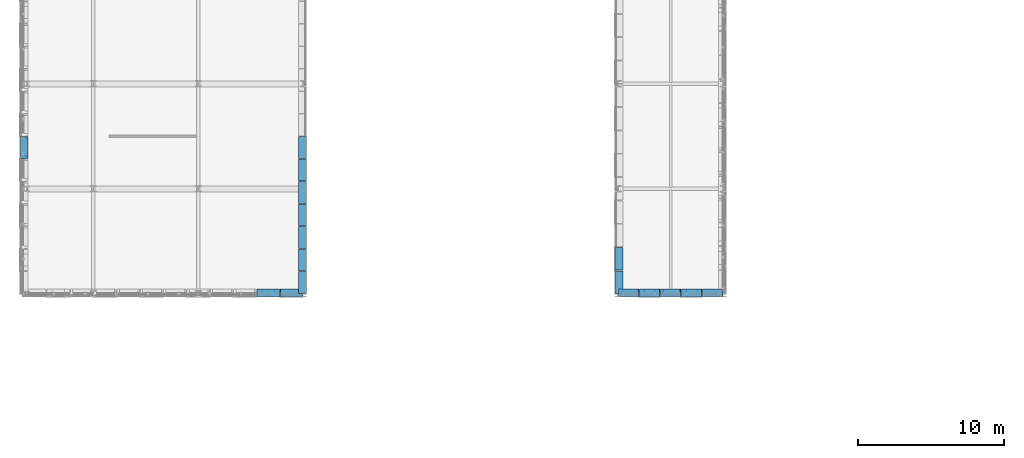
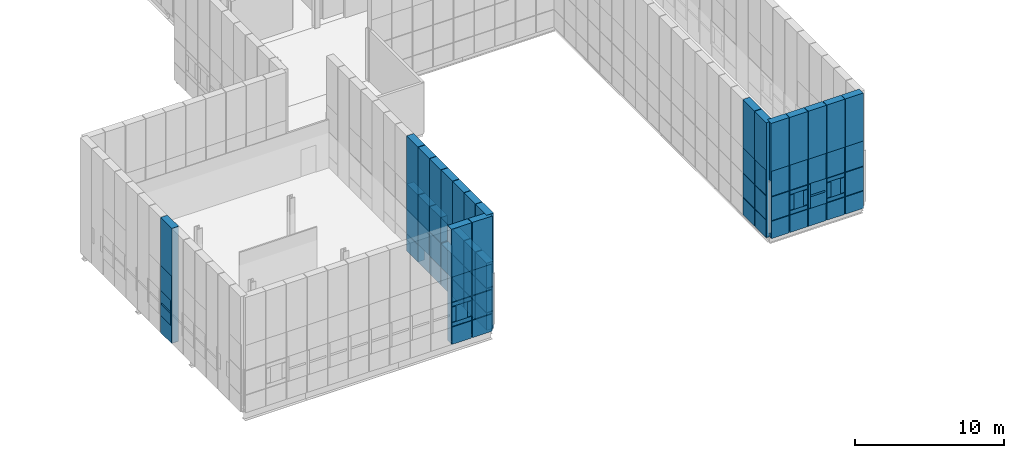
# One storey, part 108 of 144: 79 discrete accessories.
"""IFC4 building model written with IfcOpenShell, lengths in metres."""

from ifc_helpers import new_model, si_unit, direction, frame, origin, origin_2d, place, context, subcontext, project, spatial, rectangle, extrude, material, type_object, element, save


model = new_model("IFC4")

# Units and contexts
model_context = context("Model", 3, precision=1e-05, world=origin(), true_north=direction((0.0, 1.0)))
body_context = subcontext(model_context, "Body", "Model", "MODEL_VIEW")
ifc_project = project(units=[si_unit("LENGTHUNIT", "METRE"), si_unit("AREAUNIT", "SQUARE_METRE"), si_unit("VOLUMEUNIT", "CUBIC_METRE"), si_unit("PLANEANGLEUNIT", "RADIAN"), si_unit("MASSUNIT", "GRAM", prefix="KILO")], contexts=[model_context])

# Site, building, storey
site_placement = place(None, origin())
site = spatial("IfcSite", under=ifc_project, at=site_placement, CompositionType="ELEMENT")
building_placement = place(site_placement, origin())
building = spatial("IfcBuilding", under=site, at=building_placement, Name="Yarey Park Central Fire Station", CompositionType="ELEMENT")
storey_placement = place(building_placement, frame((0.0, 0.0, 10.199951171875)))
storey = spatial("IfcBuildingStorey", under=building, at=storey_placement, Name="L03", CompositionType="ELEMENT", Elevation=10.199951171875)

# Discrete accessories
ifc_material = material(Name="Stainless Steel AISI 316L", Category="steel")
discrete_accessory_type = type_object("IfcDiscreteAccessoryType", Name="ENV_BRK_SS1", PredefinedType="BRACKET", material=ifc_material)
discrete_accessory_1_placement = place(storey_placement, frame((9.64990234375, 31.628662109375, -0.494873046875), z_axis=(0.0, 0.0, 1.0), x_axis=(1.0, 0.0, 0.0)))
element("IfcDiscreteAccessory", 1, at=discrete_accessory_1_placement, inside=storey, type_object=discrete_accessory_type, Name="BRK_PERF_L03_0045", PredefinedType="BRACKET", context=body_context, shape_type="SweptSolid", body=[
    extrude(rectangle(XDim=0.5400390625, YDim=1.48291015625, at=origin_2d()), origin(), (0.0, 0.0, 1.0), 1.419921875),
])
discrete_accessory_2_placement = place(storey_placement, frame((9.64990234375, 30.96728515625, 0.97509765625), z_axis=(0.0, 0.0, 1.0), x_axis=(1.0, 0.0, 0.0)))
element("IfcDiscreteAccessory", 2, at=discrete_accessory_2_placement, inside=storey, type_object=discrete_accessory_type, Name="BRK_PERF_L03_0046", PredefinedType="BRACKET", context=body_context, shape_type="SweptSolid", body=[
    extrude(rectangle(XDim=0.5400390625, YDim=0.159912109375, at=origin_2d()), origin(), (0.0, 0.0, 1.0), 1.949951171875),
])
discrete_accessory_3_placement = place(storey_placement, frame((9.64990234375, 31.628662109375, 1.8701171875), z_axis=(0.0, 0.0, 1.0), x_axis=(1.0, 0.0, 0.0)))
element("IfcDiscreteAccessory", 3, at=discrete_accessory_3_placement, inside=storey, type_object=discrete_accessory_type, Name="BRK_PERF_L03_0047", PredefinedType="BRACKET", context=body_context, shape_type="SweptSolid", body=[
    extrude(rectangle(XDim=0.5400390625, YDim=1.282958984375, at=origin_2d()), origin(), (0.0, 0.0, 1.0), 0.159912109375),
])
discrete_accessory_4_placement = place(storey_placement, frame((9.64990234375, 31.628662109375, 2.97509765625), z_axis=(0.0, 0.0, 1.0), x_axis=(1.0, 0.0, 0.0)))
element("IfcDiscreteAccessory", 4, at=discrete_accessory_4_placement, inside=storey, type_object=discrete_accessory_type, Name="BRK_PERF_L03_0048", PredefinedType="BRACKET", context=body_context, shape_type="SweptSolid", body=[
    extrude(rectangle(XDim=0.5400390625, YDim=1.48291015625, at=origin_2d()), origin(), (0.0, 0.0, 1.0), 2.050048828125),
])
discrete_accessory_5_placement = place(storey_placement, frame((9.64990234375, 31.628662109375, -0.4599609375), z_axis=(0.0, 0.0, 1.0), x_axis=(1.0, 0.0, 0.0)))
element("IfcDiscreteAccessory", 5, at=discrete_accessory_5_placement, inside=storey, type_object=discrete_accessory_type, Name="BRK_RAIL_L03_0051", PredefinedType="BRACKET", context=body_context, shape_type="SweptSolid", body=[
    extrude(rectangle(XDim=0.5400390625, YDim=1.5029296875, at=origin_2d()), origin(), (0.0, 0.0, 1.0), 9.419921875),
])
discrete_accessory_6_placement = place(storey_placement, frame((26.39990234375, 21.64990234375, -0.494873046875), z_axis=(0.0, 0.0, 1.0), x_axis=(1.0, 0.0, 0.0)))
element("IfcDiscreteAccessory", 6, at=discrete_accessory_6_placement, inside=storey, type_object=discrete_accessory_type, Name="BRK_PERF_L03_0175", PredefinedType="BRACKET", context=body_context, shape_type="SweptSolid", body=[
    extrude(rectangle(XDim=1.5400390625, YDim=0.5400390625, at=origin_2d()), origin(), (0.0, 0.0, 1.0), 1.419921875),
])
for number, where, z_axis, x_axis, name in (
    (7, (26.39990234375, 21.64990234375, 0.97021484375), (0.0, 0.0, 1.0), (1.0, 0.0, 0.0), "BRK_PERF_L03_0176"),
    (8, (26.39990234375, 21.64990234375, 2.60986328125), (0.0, 0.0, 1.0), (1.0, 0.0, 0.0), "BRK_PERF_L03_0177"),
):
    element("IfcDiscreteAccessory", number, at=place(storey_placement, frame(where, z_axis=z_axis, x_axis=x_axis)), inside=storey, type_object=discrete_accessory_type, Name=name, PredefinedType="BRACKET", context=body_context, shape_type="SweptSolid", body=[
        extrude(rectangle(XDim=1.5400390625, YDim=0.5400390625, at=origin_2d()), origin(), (0.0, 0.0, 1.0), 0.320068359375),
    ])
for number, where, z_axis, x_axis, name in (
    (9, (25.800048828125, 21.64990234375, 1.3349609375), (0.0, 0.0, 1.0), (1.0, 0.0, 0.0), "BRK_PERF_L03_0178"),
    (10, (27.0, 21.64990234375, 1.3349609375), (0.0, 0.0, 1.0), (1.0, 0.0, 0.0), "BRK_PERF_L03_0179"),
):
    element("IfcDiscreteAccessory", number, at=place(storey_placement, frame(where, z_axis=z_axis, x_axis=x_axis)), inside=storey, type_object=discrete_accessory_type, Name=name, PredefinedType="BRACKET", context=body_context, shape_type="SweptSolid", body=[
        extrude(rectangle(XDim=0.320068359375, YDim=0.5400390625, at=origin_2d()), origin(), (0.0, 0.0, 1.0), 1.22998046875),
    ])
discrete_accessory_7_placement = place(storey_placement, frame((26.39990234375, 21.64990234375, 2.97509765625), z_axis=(0.0, 0.0, 1.0), x_axis=(1.0, 0.0, 0.0)))
element("IfcDiscreteAccessory", 11, at=discrete_accessory_7_placement, inside=storey, type_object=discrete_accessory_type, Name="BRK_PERF_L03_0180", PredefinedType="BRACKET", context=body_context, shape_type="SweptSolid", body=[
    extrude(rectangle(XDim=1.5400390625, YDim=0.5400390625, at=origin_2d()), origin(), (0.0, 0.0, 1.0), 2.050048828125),
])
discrete_accessory_8_placement = place(storey_placement, frame((26.39990234375, 21.64990234375, -0.4599609375), z_axis=(0.0, 0.0, 1.0), x_axis=(1.0, 0.0, 0.0)))
element("IfcDiscreteAccessory", 12, at=discrete_accessory_8_placement, inside=storey, type_object=discrete_accessory_type, Name="BRK_RAIL_L03_0185", PredefinedType="BRACKET", context=body_context, shape_type="SweptSolid", body=[
    extrude(rectangle(XDim=1.56005859375, YDim=0.5400390625, at=origin_2d()), origin(), (0.0, 0.0, 1.0), 9.419921875),
])
discrete_accessory_9_placement = place(storey_placement, frame((28.0, 21.64990234375, -0.494873046875), z_axis=(0.0, 0.0, 1.0), x_axis=(1.0, 0.0, 0.0)))
element("IfcDiscreteAccessory", 13, at=discrete_accessory_9_placement, inside=storey, type_object=discrete_accessory_type, Name="BRK_PERF_L03_0186", PredefinedType="BRACKET", context=body_context, shape_type="SweptSolid", body=[
    extrude(rectangle(XDim=1.5400390625, YDim=0.5400390625, at=origin_2d()), origin(), (0.0, 0.0, 1.0), 1.419921875),
])
discrete_accessory_10_placement = place(storey_placement, frame((28.0, 21.64990234375, 0.97509765625), z_axis=(0.0, 0.0, 1.0), x_axis=(1.0, 0.0, 0.0)))
element("IfcDiscreteAccessory", 14, at=discrete_accessory_10_placement, inside=storey, type_object=discrete_accessory_type, Name="BRK_PERF_L03_0187", PredefinedType="BRACKET", context=body_context, shape_type="SweptSolid", body=[
    extrude(rectangle(XDim=1.5400390625, YDim=0.5400390625, at=origin_2d()), origin(), (0.0, 0.0, 1.0), 1.949951171875),
])
discrete_accessory_11_placement = place(storey_placement, frame((28.0, 21.64990234375, 2.97509765625), z_axis=(0.0, 0.0, 1.0), x_axis=(1.0, 0.0, 0.0)))
element("IfcDiscreteAccessory", 15, at=discrete_accessory_11_placement, inside=storey, type_object=discrete_accessory_type, Name="BRK_PERF_L03_0188", PredefinedType="BRACKET", context=body_context, shape_type="SweptSolid", body=[
    extrude(rectangle(XDim=1.5400390625, YDim=0.5400390625, at=origin_2d()), origin(), (0.0, 0.0, 1.0), 2.050048828125),
])
discrete_accessory_12_placement = place(storey_placement, frame((28.0, 21.64990234375, -0.4599609375), z_axis=(0.0, 0.0, 1.0), x_axis=(1.0, 0.0, 0.0)))
element("IfcDiscreteAccessory", 16, at=discrete_accessory_12_placement, inside=storey, type_object=discrete_accessory_type, Name="BRK_RAIL_L03_0190", PredefinedType="BRACKET", context=body_context, shape_type="SweptSolid", body=[
    extrude(rectangle(XDim=1.56005859375, YDim=0.5400390625, at=origin_2d()), origin(), (0.0, 0.0, 1.0), 9.419921875),
])
discrete_accessory_13_placement = place(storey_placement, frame((51.1201171875, 21.64990234375, -0.494873046875), z_axis=(0.0, 0.0, 1.0), x_axis=(1.0, 0.0, 0.0)))
element("IfcDiscreteAccessory", 17, at=discrete_accessory_13_placement, inside=storey, type_object=discrete_accessory_type, Name="BRK_PERF_L03_0265", PredefinedType="BRACKET", context=body_context, shape_type="SweptSolid", body=[
    extrude(rectangle(XDim=1.3798828125, YDim=0.5400390625, at=origin_2d()), origin(), (0.0, 0.0, 1.0), 1.419921875),
])
discrete_accessory_14_placement = place(storey_placement, frame((51.1201171875, 21.64990234375, 0.97509765625), z_axis=(0.0, 0.0, 1.0), x_axis=(1.0, 0.0, 0.0)))
element("IfcDiscreteAccessory", 18, at=discrete_accessory_14_placement, inside=storey, type_object=discrete_accessory_type, Name="BRK_PERF_L03_0266", PredefinedType="BRACKET", context=body_context, shape_type="SweptSolid", body=[
    extrude(rectangle(XDim=1.3798828125, YDim=0.5400390625, at=origin_2d()), origin(), (0.0, 0.0, 1.0), 1.949951171875),
])
discrete_accessory_15_placement = place(storey_placement, frame((51.1201171875, 21.64990234375, 2.97509765625), z_axis=(0.0, 0.0, 1.0), x_axis=(1.0, 0.0, 0.0)))
element("IfcDiscreteAccessory", 19, at=discrete_accessory_15_placement, inside=storey, type_object=discrete_accessory_type, Name="BRK_PERF_L03_0267", PredefinedType="BRACKET", context=body_context, shape_type="SweptSolid", body=[
    extrude(rectangle(XDim=1.3798828125, YDim=0.5400390625, at=origin_2d()), origin(), (0.0, 0.0, 1.0), 2.050048828125),
])
discrete_accessory_16_placement = place(storey_placement, frame((51.1201171875, 21.64990234375, -0.4599609375), z_axis=(0.0, 0.0, 1.0), x_axis=(1.0, 0.0, 0.0)))
element("IfcDiscreteAccessory", 20, at=discrete_accessory_16_placement, inside=storey, type_object=discrete_accessory_type, Name="BRK_RAIL_L03_0269", PredefinedType="BRACKET", context=body_context, shape_type="SweptSolid", body=[
    extrude(rectangle(XDim=1.39990234375, YDim=0.5400390625, at=origin_2d()), origin(), (0.0, 0.0, 1.0), 9.419921875),
])
discrete_accessory_17_placement = place(storey_placement, frame((52.56005859375, 21.64990234375, -0.494873046875), z_axis=(0.0, 0.0, 1.0), x_axis=(1.0, 0.0, 0.0)))
element("IfcDiscreteAccessory", 21, at=discrete_accessory_17_placement, inside=storey, type_object=discrete_accessory_type, Name="BRK_PERF_L03_0270", PredefinedType="BRACKET", context=body_context, shape_type="SweptSolid", body=[
    extrude(rectangle(XDim=1.3798828125, YDim=0.5400390625, at=origin_2d()), origin(), (0.0, 0.0, 1.0), 1.419921875),
])
for number, where, z_axis, x_axis, name in (
    (22, (52.56005859375, 21.64990234375, 0.97021484375), (0.0, 0.0, 1.0), (1.0, 0.0, 0.0), "BRK_PERF_L03_0271"),
    (23, (52.56005859375, 21.64990234375, 2.60986328125), (0.0, 0.0, 1.0), (1.0, 0.0, 0.0), "BRK_PERF_L03_0272"),
):
    element("IfcDiscreteAccessory", number, at=place(storey_placement, frame(where, z_axis=z_axis, x_axis=x_axis)), inside=storey, type_object=discrete_accessory_type, Name=name, PredefinedType="BRACKET", context=body_context, shape_type="SweptSolid", body=[
        extrude(rectangle(XDim=1.3798828125, YDim=0.5400390625, at=origin_2d()), origin(), (0.0, 0.0, 1.0), 0.320068359375),
    ])
for number, where, z_axis, x_axis, name in (
    (24, (52.0400390625, 21.64990234375, 1.3349609375), (0.0, 0.0, 1.0), (1.0, 0.0, 0.0), "BRK_PERF_L03_0273"),
    (25, (53.080078125, 21.64990234375, 1.3349609375), (0.0, 0.0, 1.0), (1.0, 0.0, 0.0), "BRK_PERF_L03_0274"),
):
    element("IfcDiscreteAccessory", number, at=place(storey_placement, frame(where, z_axis=z_axis, x_axis=x_axis)), inside=storey, type_object=discrete_accessory_type, Name=name, PredefinedType="BRACKET", context=body_context, shape_type="SweptSolid", body=[
        extrude(rectangle(XDim=0.320068359375, YDim=0.5400390625, at=origin_2d()), origin(), (0.0, 0.0, 1.0), 1.22998046875),
    ])
discrete_accessory_18_placement = place(storey_placement, frame((52.56005859375, 21.64990234375, 2.97509765625), z_axis=(0.0, 0.0, 1.0), x_axis=(1.0, 0.0, 0.0)))
element("IfcDiscreteAccessory", 26, at=discrete_accessory_18_placement, inside=storey, type_object=discrete_accessory_type, Name="BRK_PERF_L03_0275", PredefinedType="BRACKET", context=body_context, shape_type="SweptSolid", body=[
    extrude(rectangle(XDim=1.3798828125, YDim=0.5400390625, at=origin_2d()), origin(), (0.0, 0.0, 1.0), 2.050048828125),
])
discrete_accessory_19_placement = place(storey_placement, frame((52.56005859375, 21.64990234375, -0.4599609375), z_axis=(0.0, 0.0, 1.0), x_axis=(1.0, 0.0, 0.0)))
element("IfcDiscreteAccessory", 27, at=discrete_accessory_19_placement, inside=storey, type_object=discrete_accessory_type, Name="BRK_RAIL_L03_0280", PredefinedType="BRACKET", context=body_context, shape_type="SweptSolid", body=[
    extrude(rectangle(XDim=1.39990234375, YDim=0.5400390625, at=origin_2d()), origin(), (0.0, 0.0, 1.0), 9.419921875),
])
discrete_accessory_20_placement = place(storey_placement, frame((54.0, 21.64990234375, -0.494873046875), z_axis=(0.0, 0.0, 1.0), x_axis=(1.0, 0.0, 0.0)))
element("IfcDiscreteAccessory", 28, at=discrete_accessory_20_placement, inside=storey, type_object=discrete_accessory_type, Name="BRK_PERF_L03_0281", PredefinedType="BRACKET", context=body_context, shape_type="SweptSolid", body=[
    extrude(rectangle(XDim=1.3798828125, YDim=0.5400390625, at=origin_2d()), origin(), (0.0, 0.0, 1.0), 1.419921875),
])
discrete_accessory_21_placement = place(storey_placement, frame((53.389892578125, 21.64990234375, 0.97509765625), z_axis=(0.0, 0.0, 1.0), x_axis=(1.0, 0.0, 0.0)))
element("IfcDiscreteAccessory", 29, at=discrete_accessory_21_placement, inside=storey, type_object=discrete_accessory_type, Name="BRK_PERF_L03_0282", PredefinedType="BRACKET", context=body_context, shape_type="SweptSolid", body=[
    extrude(rectangle(XDim=0.159912109375, YDim=0.5400390625, at=origin_2d()), origin(), (0.0, 0.0, 1.0), 1.949951171875),
])
discrete_accessory_22_placement = place(storey_placement, frame((54.0, 21.64990234375, 1.8701171875), z_axis=(0.0, 0.0, 1.0), x_axis=(1.0, 0.0, 0.0)))
element("IfcDiscreteAccessory", 30, at=discrete_accessory_22_placement, inside=storey, type_object=discrete_accessory_type, Name="BRK_PERF_L03_0283", PredefinedType="BRACKET", context=body_context, shape_type="SweptSolid", body=[
    extrude(rectangle(XDim=1.179931640625, YDim=0.5400390625, at=origin_2d()), origin(), (0.0, 0.0, 1.0), 0.159912109375),
])
discrete_accessory_23_placement = place(storey_placement, frame((54.0, 21.64990234375, 2.97509765625), z_axis=(0.0, 0.0, 1.0), x_axis=(1.0, 0.0, 0.0)))
element("IfcDiscreteAccessory", 31, at=discrete_accessory_23_placement, inside=storey, type_object=discrete_accessory_type, Name="BRK_PERF_L03_0284", PredefinedType="BRACKET", context=body_context, shape_type="SweptSolid", body=[
    extrude(rectangle(XDim=1.3798828125, YDim=0.5400390625, at=origin_2d()), origin(), (0.0, 0.0, 1.0), 2.050048828125),
])
discrete_accessory_24_placement = place(storey_placement, frame((54.0, 21.64990234375, -0.4599609375), z_axis=(0.0, 0.0, 1.0), x_axis=(1.0, 0.0, 0.0)))
element("IfcDiscreteAccessory", 32, at=discrete_accessory_24_placement, inside=storey, type_object=discrete_accessory_type, Name="BRK_RAIL_L03_0287", PredefinedType="BRACKET", context=body_context, shape_type="SweptSolid", body=[
    extrude(rectangle(XDim=1.39990234375, YDim=0.5400390625, at=origin_2d()), origin(), (0.0, 0.0, 1.0), 9.419921875),
])
discrete_accessory_25_placement = place(storey_placement, frame((55.43994140625, 21.64990234375, -0.494873046875), z_axis=(0.0, 0.0, 1.0), x_axis=(1.0, 0.0, 0.0)))
element("IfcDiscreteAccessory", 33, at=discrete_accessory_25_placement, inside=storey, type_object=discrete_accessory_type, Name="BRK_PERF_L03_0288", PredefinedType="BRACKET", context=body_context, shape_type="SweptSolid", body=[
    extrude(rectangle(XDim=1.3798828125, YDim=0.5400390625, at=origin_2d()), origin(), (0.0, 0.0, 1.0), 1.419921875),
])
for number, where, z_axis, x_axis, name in (
    (34, (55.43994140625, 21.64990234375, 0.97021484375), (0.0, 0.0, 1.0), (1.0, 0.0, 0.0), "BRK_PERF_L03_0289"),
    (35, (55.43994140625, 21.64990234375, 2.60986328125), (0.0, 0.0, 1.0), (1.0, 0.0, 0.0), "BRK_PERF_L03_0290"),
):
    element("IfcDiscreteAccessory", number, at=place(storey_placement, frame(where, z_axis=z_axis, x_axis=x_axis)), inside=storey, type_object=discrete_accessory_type, Name=name, PredefinedType="BRACKET", context=body_context, shape_type="SweptSolid", body=[
        extrude(rectangle(XDim=1.3798828125, YDim=0.5400390625, at=origin_2d()), origin(), (0.0, 0.0, 1.0), 0.320068359375),
    ])
for number, where, z_axis, x_axis, name in (
    (36, (54.919921875, 21.64990234375, 1.3349609375), (0.0, 0.0, 1.0), (1.0, 0.0, 0.0), "BRK_PERF_L03_0291"),
    (37, (55.9599609375, 21.64990234375, 1.3349609375), (0.0, 0.0, 1.0), (1.0, 0.0, 0.0), "BRK_PERF_L03_0292"),
):
    element("IfcDiscreteAccessory", number, at=place(storey_placement, frame(where, z_axis=z_axis, x_axis=x_axis)), inside=storey, type_object=discrete_accessory_type, Name=name, PredefinedType="BRACKET", context=body_context, shape_type="SweptSolid", body=[
        extrude(rectangle(XDim=0.320068359375, YDim=0.5400390625, at=origin_2d()), origin(), (0.0, 0.0, 1.0), 1.22998046875),
    ])
discrete_accessory_26_placement = place(storey_placement, frame((55.43994140625, 21.64990234375, 2.97509765625), z_axis=(0.0, 0.0, 1.0), x_axis=(1.0, 0.0, 0.0)))
element("IfcDiscreteAccessory", 38, at=discrete_accessory_26_placement, inside=storey, type_object=discrete_accessory_type, Name="BRK_PERF_L03_0293", PredefinedType="BRACKET", context=body_context, shape_type="SweptSolid", body=[
    extrude(rectangle(XDim=1.3798828125, YDim=0.5400390625, at=origin_2d()), origin(), (0.0, 0.0, 1.0), 2.050048828125),
])
discrete_accessory_27_placement = place(storey_placement, frame((55.43994140625, 21.64990234375, -0.4599609375), z_axis=(0.0, 0.0, 1.0), x_axis=(1.0, 0.0, 0.0)))
element("IfcDiscreteAccessory", 39, at=discrete_accessory_27_placement, inside=storey, type_object=discrete_accessory_type, Name="BRK_RAIL_L03_0298", PredefinedType="BRACKET", context=body_context, shape_type="SweptSolid", body=[
    extrude(rectangle(XDim=1.39990234375, YDim=0.5400390625, at=origin_2d()), origin(), (0.0, 0.0, 1.0), 9.419921875),
])
discrete_accessory_28_placement = place(storey_placement, frame((56.8798828125, 21.64990234375, -0.494873046875), z_axis=(0.0, 0.0, 1.0), x_axis=(1.0, 0.0, 0.0)))
element("IfcDiscreteAccessory", 40, at=discrete_accessory_28_placement, inside=storey, type_object=discrete_accessory_type, Name="BRK_PERF_L03_0299", PredefinedType="BRACKET", context=body_context, shape_type="SweptSolid", body=[
    extrude(rectangle(XDim=1.3798828125, YDim=0.5400390625, at=origin_2d()), origin(), (0.0, 0.0, 1.0), 1.419921875),
])
discrete_accessory_29_placement = place(storey_placement, frame((56.8798828125, 21.64990234375, 0.97509765625), z_axis=(0.0, 0.0, 1.0), x_axis=(1.0, 0.0, 0.0)))
element("IfcDiscreteAccessory", 41, at=discrete_accessory_29_placement, inside=storey, type_object=discrete_accessory_type, Name="BRK_PERF_L03_0300", PredefinedType="BRACKET", context=body_context, shape_type="SweptSolid", body=[
    extrude(rectangle(XDim=1.3798828125, YDim=0.5400390625, at=origin_2d()), origin(), (0.0, 0.0, 1.0), 1.949951171875),
])
discrete_accessory_30_placement = place(storey_placement, frame((56.8798828125, 21.64990234375, 2.97509765625), z_axis=(0.0, 0.0, 1.0), x_axis=(1.0, 0.0, 0.0)))
element("IfcDiscreteAccessory", 42, at=discrete_accessory_30_placement, inside=storey, type_object=discrete_accessory_type, Name="BRK_PERF_L03_0301", PredefinedType="BRACKET", context=body_context, shape_type="SweptSolid", body=[
    extrude(rectangle(XDim=1.3798828125, YDim=0.5400390625, at=origin_2d()), origin(), (0.0, 0.0, 1.0), 2.050048828125),
])
discrete_accessory_31_placement = place(storey_placement, frame((56.8798828125, 21.64990234375, -0.4599609375), z_axis=(0.0, 0.0, 1.0), x_axis=(1.0, 0.0, 0.0)))
element("IfcDiscreteAccessory", 43, at=discrete_accessory_31_placement, inside=storey, type_object=discrete_accessory_type, Name="BRK_RAIL_L03_0303", PredefinedType="BRACKET", context=body_context, shape_type="SweptSolid", body=[
    extrude(rectangle(XDim=1.39990234375, YDim=0.5400390625, at=origin_2d()), origin(), (0.0, 0.0, 1.0), 9.419921875),
])
discrete_accessory_32_placement = place(storey_placement, frame((28.75, 22.371337890625, -0.494873046875), z_axis=(0.0, 0.0, 1.0), x_axis=(1.0, 0.0, 0.0)))
element("IfcDiscreteAccessory", 44, at=discrete_accessory_32_placement, inside=storey, type_object=discrete_accessory_type, Name="BRK_PERF_L03_0917", PredefinedType="BRACKET", context=body_context, shape_type="SweptSolid", body=[
    extrude(rectangle(XDim=0.5400390625, YDim=1.48291015625, at=origin_2d()), origin(), (0.0, 0.0, 1.0), 1.419921875),
])
discrete_accessory_33_placement = place(storey_placement, frame((28.75, 22.371337890625, 0.97509765625), z_axis=(0.0, 0.0, 1.0), x_axis=(1.0, 0.0, 0.0)))
element("IfcDiscreteAccessory", 45, at=discrete_accessory_33_placement, inside=storey, type_object=discrete_accessory_type, Name="BRK_PERF_L03_0918", PredefinedType="BRACKET", context=body_context, shape_type="SweptSolid", body=[
    extrude(rectangle(XDim=0.5400390625, YDim=1.48291015625, at=origin_2d()), origin(), (0.0, 0.0, 1.0), 1.949951171875),
])
discrete_accessory_34_placement = place(storey_placement, frame((28.75, 22.371337890625, 2.97509765625), z_axis=(0.0, 0.0, 1.0), x_axis=(1.0, 0.0, 0.0)))
element("IfcDiscreteAccessory", 46, at=discrete_accessory_34_placement, inside=storey, type_object=discrete_accessory_type, Name="BRK_PERF_L03_0919", PredefinedType="BRACKET", context=body_context, shape_type="SweptSolid", body=[
    extrude(rectangle(XDim=0.5400390625, YDim=1.48291015625, at=origin_2d()), origin(), (0.0, 0.0, 1.0), 2.050048828125),
])
discrete_accessory_35_placement = place(storey_placement, frame((28.75, 22.371337890625, -0.4599609375), z_axis=(0.0, 0.0, 1.0), x_axis=(1.0, 0.0, 0.0)))
element("IfcDiscreteAccessory", 47, at=discrete_accessory_35_placement, inside=storey, type_object=discrete_accessory_type, Name="BRK_RAIL_L03_0921", PredefinedType="BRACKET", context=body_context, shape_type="SweptSolid", body=[
    extrude(rectangle(XDim=0.5400390625, YDim=1.5029296875, at=origin_2d()), origin(), (0.0, 0.0, 1.0), 9.419921875),
])
discrete_accessory_36_placement = place(storey_placement, frame((28.75, 23.914306640625, -0.494873046875), z_axis=(0.0, 0.0, 1.0), x_axis=(1.0, 0.0, 0.0)))
element("IfcDiscreteAccessory", 48, at=discrete_accessory_36_placement, inside=storey, type_object=discrete_accessory_type, Name="BRK_PERF_L03_0922", PredefinedType="BRACKET", context=body_context, shape_type="SweptSolid", body=[
    extrude(rectangle(XDim=0.5400390625, YDim=1.48291015625, at=origin_2d()), origin(), (0.0, 0.0, 1.0), 1.419921875),
])
discrete_accessory_37_placement = place(storey_placement, frame((28.75, 23.914306640625, 0.97509765625), z_axis=(0.0, 0.0, 1.0), x_axis=(1.0, 0.0, 0.0)))
element("IfcDiscreteAccessory", 49, at=discrete_accessory_37_placement, inside=storey, type_object=discrete_accessory_type, Name="BRK_PERF_L03_0923", PredefinedType="BRACKET", context=body_context, shape_type="SweptSolid", body=[
    extrude(rectangle(XDim=0.5400390625, YDim=1.48291015625, at=origin_2d()), origin(), (0.0, 0.0, 1.0), 1.949951171875),
])
discrete_accessory_38_placement = place(storey_placement, frame((28.75, 23.914306640625, 2.97509765625), z_axis=(0.0, 0.0, 1.0), x_axis=(1.0, 0.0, 0.0)))
element("IfcDiscreteAccessory", 50, at=discrete_accessory_38_placement, inside=storey, type_object=discrete_accessory_type, Name="BRK_PERF_L03_0924", PredefinedType="BRACKET", context=body_context, shape_type="SweptSolid", body=[
    extrude(rectangle(XDim=0.5400390625, YDim=1.48291015625, at=origin_2d()), origin(), (0.0, 0.0, 1.0), 2.050048828125),
])
discrete_accessory_39_placement = place(storey_placement, frame((28.75, 23.914306640625, -0.4599609375), z_axis=(0.0, 0.0, 1.0), x_axis=(1.0, 0.0, 0.0)))
element("IfcDiscreteAccessory", 51, at=discrete_accessory_39_placement, inside=storey, type_object=discrete_accessory_type, Name="BRK_RAIL_L03_0926", PredefinedType="BRACKET", context=body_context, shape_type="SweptSolid", body=[
    extrude(rectangle(XDim=0.5400390625, YDim=1.5029296875, at=origin_2d()), origin(), (0.0, 0.0, 1.0), 9.419921875),
])
discrete_accessory_40_placement = place(storey_placement, frame((28.75, 25.45703125, -0.494873046875), z_axis=(0.0, 0.0, 1.0), x_axis=(1.0, 0.0, 0.0)))
element("IfcDiscreteAccessory", 52, at=discrete_accessory_40_placement, inside=storey, type_object=discrete_accessory_type, Name="BRK_PERF_L03_0927", PredefinedType="BRACKET", context=body_context, shape_type="SweptSolid", body=[
    extrude(rectangle(XDim=0.5400390625, YDim=1.48291015625, at=origin_2d()), origin(), (0.0, 0.0, 1.0), 1.419921875),
])
discrete_accessory_41_placement = place(storey_placement, frame((28.75, 25.45703125, 0.97509765625), z_axis=(0.0, 0.0, 1.0), x_axis=(1.0, 0.0, 0.0)))
element("IfcDiscreteAccessory", 53, at=discrete_accessory_41_placement, inside=storey, type_object=discrete_accessory_type, Name="BRK_PERF_L03_0928", PredefinedType="BRACKET", context=body_context, shape_type="SweptSolid", body=[
    extrude(rectangle(XDim=0.5400390625, YDim=1.48291015625, at=origin_2d()), origin(), (0.0, 0.0, 1.0), 1.949951171875),
])
discrete_accessory_42_placement = place(storey_placement, frame((28.75, 25.45703125, 2.97509765625), z_axis=(0.0, 0.0, 1.0), x_axis=(1.0, 0.0, 0.0)))
element("IfcDiscreteAccessory", 54, at=discrete_accessory_42_placement, inside=storey, type_object=discrete_accessory_type, Name="BRK_PERF_L03_0929", PredefinedType="BRACKET", context=body_context, shape_type="SweptSolid", body=[
    extrude(rectangle(XDim=0.5400390625, YDim=1.48291015625, at=origin_2d()), origin(), (0.0, 0.0, 1.0), 2.050048828125),
])
discrete_accessory_43_placement = place(storey_placement, frame((28.75, 25.45703125, -0.4599609375), z_axis=(0.0, 0.0, 1.0), x_axis=(1.0, 0.0, 0.0)))
element("IfcDiscreteAccessory", 55, at=discrete_accessory_43_placement, inside=storey, type_object=discrete_accessory_type, Name="BRK_RAIL_L03_0931", PredefinedType="BRACKET", context=body_context, shape_type="SweptSolid", body=[
    extrude(rectangle(XDim=0.5400390625, YDim=1.5029296875, at=origin_2d()), origin(), (0.0, 0.0, 1.0), 9.419921875),
])
discrete_accessory_44_placement = place(storey_placement, frame((28.75, 27.0, -0.494873046875), z_axis=(0.0, 0.0, 1.0), x_axis=(1.0, 0.0, 0.0)))
element("IfcDiscreteAccessory", 56, at=discrete_accessory_44_placement, inside=storey, type_object=discrete_accessory_type, Name="BRK_PERF_L03_0932", PredefinedType="BRACKET", context=body_context, shape_type="SweptSolid", body=[
    extrude(rectangle(XDim=0.5400390625, YDim=1.48291015625, at=origin_2d()), origin(), (0.0, 0.0, 1.0), 1.419921875),
])
discrete_accessory_45_placement = place(storey_placement, frame((28.75, 27.0, 0.97509765625), z_axis=(0.0, 0.0, 1.0), x_axis=(1.0, 0.0, 0.0)))
element("IfcDiscreteAccessory", 57, at=discrete_accessory_45_placement, inside=storey, type_object=discrete_accessory_type, Name="BRK_PERF_L03_0933", PredefinedType="BRACKET", context=body_context, shape_type="SweptSolid", body=[
    extrude(rectangle(XDim=0.5400390625, YDim=1.48291015625, at=origin_2d()), origin(), (0.0, 0.0, 1.0), 1.949951171875),
])
discrete_accessory_46_placement = place(storey_placement, frame((28.75, 27.0, 2.97509765625), z_axis=(0.0, 0.0, 1.0), x_axis=(1.0, 0.0, 0.0)))
element("IfcDiscreteAccessory", 58, at=discrete_accessory_46_placement, inside=storey, type_object=discrete_accessory_type, Name="BRK_PERF_L03_0934", PredefinedType="BRACKET", context=body_context, shape_type="SweptSolid", body=[
    extrude(rectangle(XDim=0.5400390625, YDim=1.48291015625, at=origin_2d()), origin(), (0.0, 0.0, 1.0), 2.050048828125),
])
discrete_accessory_47_placement = place(storey_placement, frame((28.75, 27.0, -0.4599609375), z_axis=(0.0, 0.0, 1.0), x_axis=(1.0, 0.0, 0.0)))
element("IfcDiscreteAccessory", 59, at=discrete_accessory_47_placement, inside=storey, type_object=discrete_accessory_type, Name="BRK_RAIL_L03_0936", PredefinedType="BRACKET", context=body_context, shape_type="SweptSolid", body=[
    extrude(rectangle(XDim=0.5400390625, YDim=1.5029296875, at=origin_2d()), origin(), (0.0, 0.0, 1.0), 9.419921875),
])
discrete_accessory_48_placement = place(storey_placement, frame((28.75, 28.54296875, -0.494873046875), z_axis=(0.0, 0.0, 1.0), x_axis=(1.0, 0.0, 0.0)))
element("IfcDiscreteAccessory", 60, at=discrete_accessory_48_placement, inside=storey, type_object=discrete_accessory_type, Name="BRK_PERF_L03_0937", PredefinedType="BRACKET", context=body_context, shape_type="SweptSolid", body=[
    extrude(rectangle(XDim=0.5400390625, YDim=1.48291015625, at=origin_2d()), origin(), (0.0, 0.0, 1.0), 1.419921875),
])
discrete_accessory_49_placement = place(storey_placement, frame((28.75, 28.54296875, 0.97509765625), z_axis=(0.0, 0.0, 1.0), x_axis=(1.0, 0.0, 0.0)))
element("IfcDiscreteAccessory", 61, at=discrete_accessory_49_placement, inside=storey, type_object=discrete_accessory_type, Name="BRK_PERF_L03_0938", PredefinedType="BRACKET", context=body_context, shape_type="SweptSolid", body=[
    extrude(rectangle(XDim=0.5400390625, YDim=1.48291015625, at=origin_2d()), origin(), (0.0, 0.0, 1.0), 1.949951171875),
])
discrete_accessory_50_placement = place(storey_placement, frame((28.75, 28.54296875, 2.97509765625), z_axis=(0.0, 0.0, 1.0), x_axis=(1.0, 0.0, 0.0)))
element("IfcDiscreteAccessory", 62, at=discrete_accessory_50_placement, inside=storey, type_object=discrete_accessory_type, Name="BRK_PERF_L03_0939", PredefinedType="BRACKET", context=body_context, shape_type="SweptSolid", body=[
    extrude(rectangle(XDim=0.5400390625, YDim=1.48291015625, at=origin_2d()), origin(), (0.0, 0.0, 1.0), 2.050048828125),
])
discrete_accessory_51_placement = place(storey_placement, frame((28.75, 28.54296875, -0.4599609375), z_axis=(0.0, 0.0, 1.0), x_axis=(1.0, 0.0, 0.0)))
element("IfcDiscreteAccessory", 63, at=discrete_accessory_51_placement, inside=storey, type_object=discrete_accessory_type, Name="BRK_RAIL_L03_0941", PredefinedType="BRACKET", context=body_context, shape_type="SweptSolid", body=[
    extrude(rectangle(XDim=0.5400390625, YDim=1.5029296875, at=origin_2d()), origin(), (0.0, 0.0, 1.0), 9.419921875),
])
discrete_accessory_52_placement = place(storey_placement, frame((28.75, 30.085693359375, -0.494873046875), z_axis=(0.0, 0.0, 1.0), x_axis=(1.0, 0.0, 0.0)))
element("IfcDiscreteAccessory", 64, at=discrete_accessory_52_placement, inside=storey, type_object=discrete_accessory_type, Name="BRK_PERF_L03_0942", PredefinedType="BRACKET", context=body_context, shape_type="SweptSolid", body=[
    extrude(rectangle(XDim=0.5400390625, YDim=1.48291015625, at=origin_2d()), origin(), (0.0, 0.0, 1.0), 1.419921875),
])
discrete_accessory_53_placement = place(storey_placement, frame((28.75, 30.085693359375, 0.97509765625), z_axis=(0.0, 0.0, 1.0), x_axis=(1.0, 0.0, 0.0)))
element("IfcDiscreteAccessory", 65, at=discrete_accessory_53_placement, inside=storey, type_object=discrete_accessory_type, Name="BRK_PERF_L03_0943", PredefinedType="BRACKET", context=body_context, shape_type="SweptSolid", body=[
    extrude(rectangle(XDim=0.5400390625, YDim=1.48291015625, at=origin_2d()), origin(), (0.0, 0.0, 1.0), 1.949951171875),
])
discrete_accessory_54_placement = place(storey_placement, frame((28.75, 30.085693359375, 2.97509765625), z_axis=(0.0, 0.0, 1.0), x_axis=(1.0, 0.0, 0.0)))
element("IfcDiscreteAccessory", 66, at=discrete_accessory_54_placement, inside=storey, type_object=discrete_accessory_type, Name="BRK_PERF_L03_0944", PredefinedType="BRACKET", context=body_context, shape_type="SweptSolid", body=[
    extrude(rectangle(XDim=0.5400390625, YDim=1.48291015625, at=origin_2d()), origin(), (0.0, 0.0, 1.0), 2.050048828125),
])
discrete_accessory_55_placement = place(storey_placement, frame((28.75, 30.085693359375, -0.4599609375), z_axis=(0.0, 0.0, 1.0), x_axis=(1.0, 0.0, 0.0)))
element("IfcDiscreteAccessory", 67, at=discrete_accessory_55_placement, inside=storey, type_object=discrete_accessory_type, Name="BRK_RAIL_L03_0946", PredefinedType="BRACKET", context=body_context, shape_type="SweptSolid", body=[
    extrude(rectangle(XDim=0.5400390625, YDim=1.5029296875, at=origin_2d()), origin(), (0.0, 0.0, 1.0), 9.419921875),
])
discrete_accessory_56_placement = place(storey_placement, frame((28.75, 31.628662109375, -0.494873046875), z_axis=(0.0, 0.0, 1.0), x_axis=(1.0, 0.0, 0.0)))
element("IfcDiscreteAccessory", 68, at=discrete_accessory_56_placement, inside=storey, type_object=discrete_accessory_type, Name="BRK_PERF_L03_0947", PredefinedType="BRACKET", context=body_context, shape_type="SweptSolid", body=[
    extrude(rectangle(XDim=0.5400390625, YDim=1.48291015625, at=origin_2d()), origin(), (0.0, 0.0, 1.0), 1.419921875),
])
discrete_accessory_57_placement = place(storey_placement, frame((28.75, 31.628662109375, 0.97509765625), z_axis=(0.0, 0.0, 1.0), x_axis=(1.0, 0.0, 0.0)))
element("IfcDiscreteAccessory", 69, at=discrete_accessory_57_placement, inside=storey, type_object=discrete_accessory_type, Name="BRK_PERF_L03_0948", PredefinedType="BRACKET", context=body_context, shape_type="SweptSolid", body=[
    extrude(rectangle(XDim=0.5400390625, YDim=1.48291015625, at=origin_2d()), origin(), (0.0, 0.0, 1.0), 1.949951171875),
])
discrete_accessory_58_placement = place(storey_placement, frame((28.75, 31.628662109375, 2.97509765625), z_axis=(0.0, 0.0, 1.0), x_axis=(1.0, 0.0, 0.0)))
element("IfcDiscreteAccessory", 70, at=discrete_accessory_58_placement, inside=storey, type_object=discrete_accessory_type, Name="BRK_PERF_L03_0949", PredefinedType="BRACKET", context=body_context, shape_type="SweptSolid", body=[
    extrude(rectangle(XDim=0.5400390625, YDim=1.48291015625, at=origin_2d()), origin(), (0.0, 0.0, 1.0), 2.050048828125),
])
discrete_accessory_59_placement = place(storey_placement, frame((28.75, 31.628662109375, -0.4599609375), z_axis=(0.0, 0.0, 1.0), x_axis=(1.0, 0.0, 0.0)))
element("IfcDiscreteAccessory", 71, at=discrete_accessory_59_placement, inside=storey, type_object=discrete_accessory_type, Name="BRK_RAIL_L03_0951", PredefinedType="BRACKET", context=body_context, shape_type="SweptSolid", body=[
    extrude(rectangle(XDim=0.5400390625, YDim=1.5029296875, at=origin_2d()), origin(), (0.0, 0.0, 1.0), 9.419921875),
])
discrete_accessory_60_placement = place(storey_placement, frame((50.449951171875, 22.39990234375, -0.494873046875), z_axis=(0.0, 0.0, 1.0), x_axis=(1.0, 0.0, 0.0)))
element("IfcDiscreteAccessory", 72, at=discrete_accessory_60_placement, inside=storey, type_object=discrete_accessory_type, Name="BRK_PERF_L03_0987", PredefinedType="BRACKET", context=body_context, shape_type="SweptSolid", body=[
    extrude(rectangle(XDim=0.5400390625, YDim=1.5400390625, at=origin_2d()), origin(), (0.0, 0.0, 1.0), 1.419921875),
])
discrete_accessory_61_placement = place(storey_placement, frame((50.449951171875, 22.39990234375, 0.97509765625), z_axis=(0.0, 0.0, 1.0), x_axis=(1.0, 0.0, 0.0)))
element("IfcDiscreteAccessory", 73, at=discrete_accessory_61_placement, inside=storey, type_object=discrete_accessory_type, Name="BRK_PERF_L03_0988", PredefinedType="BRACKET", context=body_context, shape_type="SweptSolid", body=[
    extrude(rectangle(XDim=0.5400390625, YDim=1.5400390625, at=origin_2d()), origin(), (0.0, 0.0, 1.0), 1.949951171875),
])
discrete_accessory_62_placement = place(storey_placement, frame((50.449951171875, 22.39990234375, 2.97509765625), z_axis=(0.0, 0.0, 1.0), x_axis=(1.0, 0.0, 0.0)))
element("IfcDiscreteAccessory", 74, at=discrete_accessory_62_placement, inside=storey, type_object=discrete_accessory_type, Name="BRK_PERF_L03_0989", PredefinedType="BRACKET", context=body_context, shape_type="SweptSolid", body=[
    extrude(rectangle(XDim=0.5400390625, YDim=1.5400390625, at=origin_2d()), origin(), (0.0, 0.0, 1.0), 2.050048828125),
])
discrete_accessory_63_placement = place(storey_placement, frame((50.449951171875, 22.39990234375, -0.4599609375), z_axis=(0.0, 0.0, 1.0), x_axis=(1.0, 0.0, 0.0)))
element("IfcDiscreteAccessory", 75, at=discrete_accessory_63_placement, inside=storey, type_object=discrete_accessory_type, Name="BRK_RAIL_L03_0991", PredefinedType="BRACKET", context=body_context, shape_type="SweptSolid", body=[
    extrude(rectangle(XDim=0.5400390625, YDim=1.56005859375, at=origin_2d()), origin(), (0.0, 0.0, 1.0), 9.419921875),
])
discrete_accessory_64_placement = place(storey_placement, frame((50.449951171875, 24.0, -0.494873046875), z_axis=(0.0, 0.0, 1.0), x_axis=(1.0, 0.0, 0.0)))
element("IfcDiscreteAccessory", 76, at=discrete_accessory_64_placement, inside=storey, type_object=discrete_accessory_type, Name="BRK_PERF_L03_0992", PredefinedType="BRACKET", context=body_context, shape_type="SweptSolid", body=[
    extrude(rectangle(XDim=0.5400390625, YDim=1.5400390625, at=origin_2d()), origin(), (0.0, 0.0, 1.0), 1.419921875),
])
discrete_accessory_65_placement = place(storey_placement, frame((50.449951171875, 24.0, 0.97509765625), z_axis=(0.0, 0.0, 1.0), x_axis=(1.0, 0.0, 0.0)))
element("IfcDiscreteAccessory", 77, at=discrete_accessory_65_placement, inside=storey, type_object=discrete_accessory_type, Name="BRK_PERF_L03_0993", PredefinedType="BRACKET", context=body_context, shape_type="SweptSolid", body=[
    extrude(rectangle(XDim=0.5400390625, YDim=1.5400390625, at=origin_2d()), origin(), (0.0, 0.0, 1.0), 1.949951171875),
])
discrete_accessory_66_placement = place(storey_placement, frame((50.449951171875, 24.0, 2.97509765625), z_axis=(0.0, 0.0, 1.0), x_axis=(1.0, 0.0, 0.0)))
element("IfcDiscreteAccessory", 78, at=discrete_accessory_66_placement, inside=storey, type_object=discrete_accessory_type, Name="BRK_PERF_L03_0994", PredefinedType="BRACKET", context=body_context, shape_type="SweptSolid", body=[
    extrude(rectangle(XDim=0.5400390625, YDim=1.5400390625, at=origin_2d()), origin(), (0.0, 0.0, 1.0), 2.050048828125),
])
discrete_accessory_67_placement = place(storey_placement, frame((50.449951171875, 24.0, -0.4599609375), z_axis=(0.0, 0.0, 1.0), x_axis=(1.0, 0.0, 0.0)))
element("IfcDiscreteAccessory", 79, at=discrete_accessory_67_placement, inside=storey, type_object=discrete_accessory_type, Name="BRK_RAIL_L03_0996", PredefinedType="BRACKET", context=body_context, shape_type="SweptSolid", body=[
    extrude(rectangle(XDim=0.5400390625, YDim=1.56005859375, at=origin_2d()), origin(), (0.0, 0.0, 1.0), 9.419921875),
])

save(model, "model.ifc")
